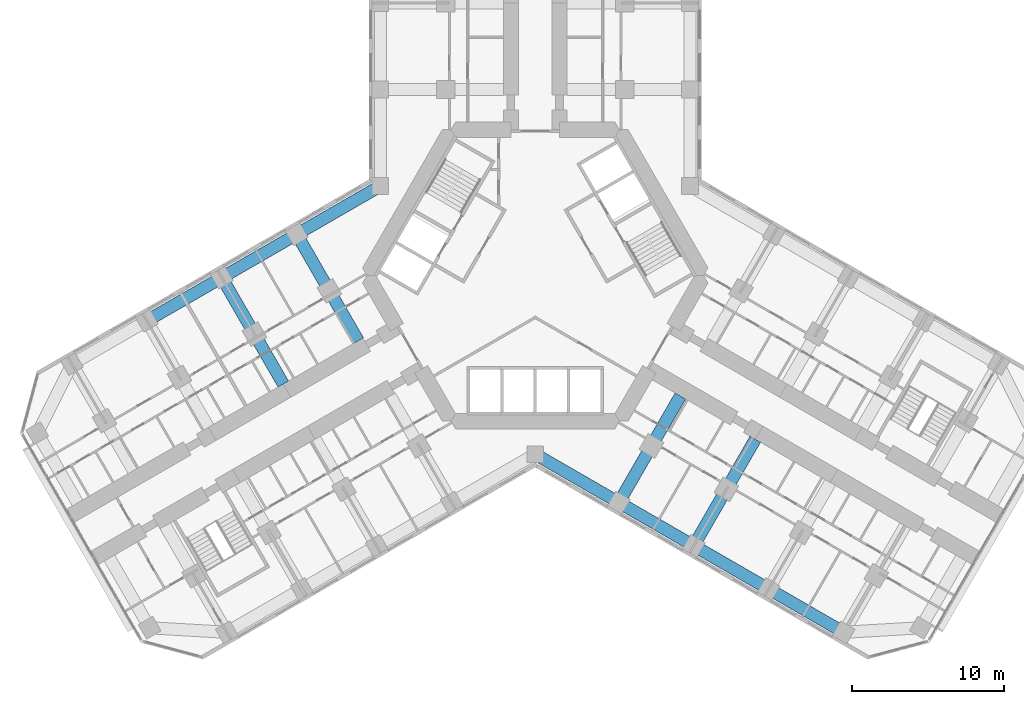
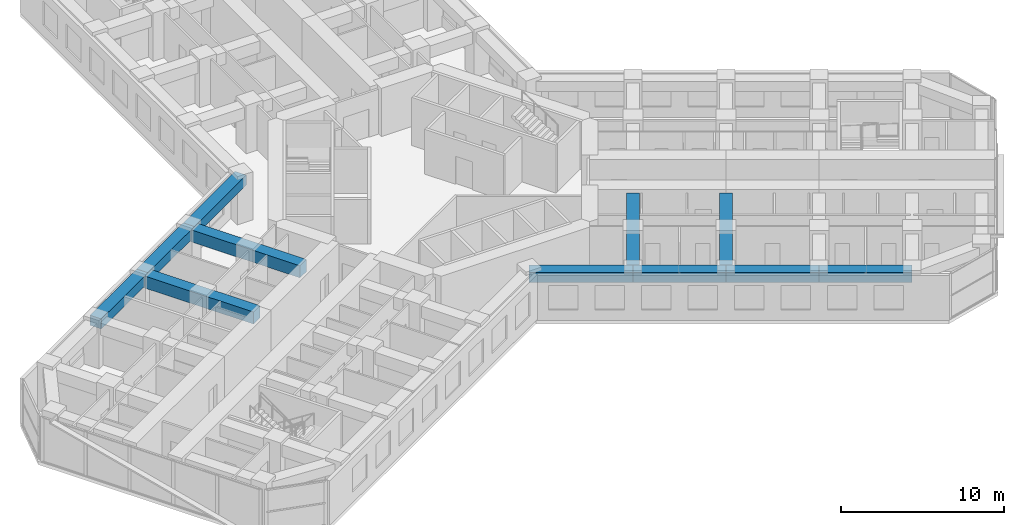
# One storey, part 3 of 18: 11 beams.
"""IFC4 building model written with IfcOpenShell, lengths in metres."""

from ifc_helpers import new_model, si_unit, direction, frame, origin, origin_2d, place, context, subcontext, project, spatial, rectangle, extrude, material, material_profile, profile_set, type_object, element, save


model = new_model("IFC4")

# Units and contexts
model_context = context("Model", 3, precision=1e-05, world=origin(), true_north=direction((0.0, 1.0)))
body_context = subcontext(model_context, "Body", "Model", "MODEL_VIEW")
ifc_project = project(units=[si_unit("LENGTHUNIT", "METRE"), si_unit("AREAUNIT", "SQUARE_METRE"), si_unit("VOLUMEUNIT", "CUBIC_METRE"), si_unit("PLANEANGLEUNIT", "RADIAN"), si_unit("MASSUNIT", "GRAM", prefix="KILO")], contexts=[model_context])

# Site, building, storey
site_placement = place(None, origin())
site = spatial("IfcSite", under=ifc_project, at=site_placement, CompositionType="ELEMENT")
building_placement = place(site_placement, origin())
building = spatial("IfcBuilding", under=site, at=building_placement, Name="Kosmar Iwan School Tower", CompositionType="ELEMENT")
storey_placement = place(building_placement, frame((0.0, 0.0, 25.199951171875)))
storey = spatial("IfcBuildingStorey", under=building, at=storey_placement, Name="L05", CompositionType="ELEMENT", Elevation=25.199951171875)

# Beams
ifc_material_1 = material(Name="Concrete C50/60", Category="concrete")
ifc_material_profile_1 = material_profile(ifc_material_1, rectangle(XDim=0.800048828125, YDim=0.75, at=origin_2d()), Name="RC 800x750")
ifc_profile_set_1 = profile_set([ifc_material_profile_1], Name="Concrete C50/60")
beam_type_1 = type_object("IfcBeamType", Name="RC edge beam 800x750", PredefinedType="BEAM", material=ifc_profile_set_1)
beam_1_placement = place(storey_placement, frame((-10.199951171875, 5.888916015625, 2.97509765625), z_axis=(-0.866030912664, -0.49999045822, 0.0), x_axis=(0.49999045822, -0.866030912664, 0.0)))
element("IfcBeam", 1, at=beam_1_placement, inside=storey, type_object=beam_type_1, Name="Edge beam BR1", PredefinedType="BEAM", context=body_context, shape_type="SweptSolid", body=[
    extrude(rectangle(XDim=0.800048828125, YDim=0.75, at=origin_2d()), origin(), (0.0, 0.0, 1.0), 6.36083984375),
])
beam_2_placement = place(storey_placement, frame((-15.708740234375, 2.70849609375, 2.97509765625), z_axis=(-0.866025820012, -0.499999279071, 0.0), x_axis=(0.499999279071, -0.866025820012, 0.0)))
element("IfcBeam", 2, at=beam_2_placement, inside=storey, type_object=beam_type_1, Name="Edge beam BR2", PredefinedType="BEAM", context=body_context, shape_type="SweptSolid", body=[
    extrude(rectangle(XDim=0.800048828125, YDim=0.75, at=origin_2d()), origin(), (0.0, 0.0, 1.0), 5.7001953125),
])
beam_3_placement = place(storey_placement, frame((-20.645263671875, -0.1416015625, 2.97509765625), z_axis=(-0.866033658841, -0.49998570155, 0.0), x_axis=(0.49998570155, -0.866033658841, 0.0)))
element("IfcBeam", 3, at=beam_3_placement, inside=storey, type_object=beam_type_1, Name="Edge beam BR3", PredefinedType="BEAM", context=body_context, shape_type="SweptSolid", body=[
    extrude(rectangle(XDim=0.800048828125, YDim=0.75, at=origin_2d()), origin(), (0.0, 0.0, 1.0), 5.699951171875),
])
beam_4_placement = place(storey_placement, frame((0.0, -11.77783203125, 2.97509765625), z_axis=(0.866014293216, -0.500019243575, 0.0), x_axis=(0.500019243575, 0.866014293216, 0.0)))
element("IfcBeam", 4, at=beam_4_placement, inside=storey, type_object=beam_type_1, Name="Edge beam CR1", PredefinedType="BEAM", context=body_context, shape_type="SweptSolid", body=[
    extrude(rectangle(XDim=0.800048828125, YDim=0.75, at=origin_2d()), origin(), (0.0, 0.0, 1.0), 6.361083984375),
])
beam_5_placement = place(storey_placement, frame((5.5087890625, -14.95849609375, 2.97509765625), z_axis=(0.866033658841, -0.49998570155, 0.0), x_axis=(0.49998570155, 0.866033658841, 0.0)))
element("IfcBeam", 5, at=beam_5_placement, inside=storey, type_object=beam_type_1, Name="Edge beam CR2", PredefinedType="BEAM", context=body_context, shape_type="SweptSolid", body=[
    extrude(rectangle(XDim=0.800048828125, YDim=0.75, at=origin_2d()), origin(), (0.0, 0.0, 1.0), 5.699951171875),
])
beam_6_placement = place(storey_placement, frame((10.445068359375, -17.808349609375, 2.97509765625), z_axis=(0.866025820012, -0.499999279071, 0.0), x_axis=(0.499999279071, 0.866025820012, 0.0)))
element("IfcBeam", 6, at=beam_6_placement, inside=storey, type_object=beam_type_1, Name="Edge beam CR3", PredefinedType="BEAM", context=body_context, shape_type="SweptSolid", body=[
    extrude(rectangle(XDim=0.800048828125, YDim=0.75, at=origin_2d()), origin(), (0.0, 0.0, 1.0), 5.7001953125),
])
beam_7_placement = place(storey_placement, frame((15.381591796875, -20.658447265625, 2.97509765625), z_axis=(0.866015111908, -0.50001782563, 0.0), x_axis=(0.50001782563, 0.866015111908, 0.0)))
element("IfcBeam", 7, at=beam_7_placement, inside=storey, type_object=beam_type_1, Name="Edge beam CR4", PredefinedType="BEAM", context=body_context, shape_type="SweptSolid", body=[
    extrude(rectangle(XDim=0.800048828125, YDim=0.75, at=origin_2d()), origin(), (0.0, 0.0, 1.0), 5.699951171875),
])
ifc_material_2 = material(Name="Concrete C50/60", Category="concrete")
ifc_material_profile_2 = material_profile(ifc_material_2, rectangle(XDim=0.800048828125, YDim=0.89990234375, at=origin_2d()), Name="RC 800x900")
ifc_profile_set_2 = profile_set([ifc_material_profile_2], Name="Concrete C50/60")
beam_type_2 = type_object("IfcBeamType", Name="RC transverse beam 800x900", PredefinedType="BEAM", material=ifc_profile_set_2)
beam_8_placement = place(storey_placement, frame((-15.708740234375, 2.70849609375, 2.900146484375), z_axis=(0.499999880539, -0.866025472755, 0.0), x_axis=(0.866025472755, 0.499999880539, 0.0)))
element("IfcBeam", 8, at=beam_8_placement, inside=storey, type_object=beam_type_2, Name="Transverse beam BR1", PredefinedType="BEAM", context=body_context, shape_type="SweptSolid", body=[
    extrude(rectangle(XDim=0.800048828125, YDim=0.89990234375, at=origin_2d()), origin(), (0.0, 0.0, 1.0), 8.10009765625),
])
beam_9_placement = place(storey_placement, frame((-20.645263671875, -0.1416015625, 2.900146484375), z_axis=(0.500012932018, -0.866017937352, 0.0), x_axis=(0.866017937352, 0.500012932018, 0.0)))
element("IfcBeam", 9, at=beam_9_placement, inside=storey, type_object=beam_type_2, Name="Transverse beam BR2", PredefinedType="BEAM", context=body_context, shape_type="SweptSolid", body=[
    extrude(rectangle(XDim=0.800048828125, YDim=0.89990234375, at=origin_2d()), origin(), (0.0, 0.0, 1.0), 8.099853515625),
])
beam_10_placement = place(storey_placement, frame((5.5087890625, -14.95849609375, 2.900146484375), z_axis=(0.499999880539, 0.866025472755, 0.0), x_axis=(-0.866025472755, 0.499999880539, 0.0)))
element("IfcBeam", 10, at=beam_10_placement, inside=storey, type_object=beam_type_2, Name="Transverse beam CR1", PredefinedType="BEAM", context=body_context, shape_type="SweptSolid", body=[
    extrude(rectangle(XDim=0.800048828125, YDim=0.89990234375, at=origin_2d()), origin(), (0.0, 0.0, 1.0), 8.10009765625),
])
beam_11_placement = place(storey_placement, frame((10.445068359375, -17.808349609375, 2.900146484375), z_axis=(0.500012932018, 0.866017937352, 0.0), x_axis=(-0.866017937352, 0.500012932018, 0.0)))
element("IfcBeam", 11, at=beam_11_placement, inside=storey, type_object=beam_type_2, Name="Transverse beam CR2", PredefinedType="BEAM", context=body_context, shape_type="SweptSolid", body=[
    extrude(rectangle(XDim=0.800048828125, YDim=0.89990234375, at=origin_2d()), origin(), (0.0, 0.0, 1.0), 8.099853515625),
])

save(model, "model.ifc")
